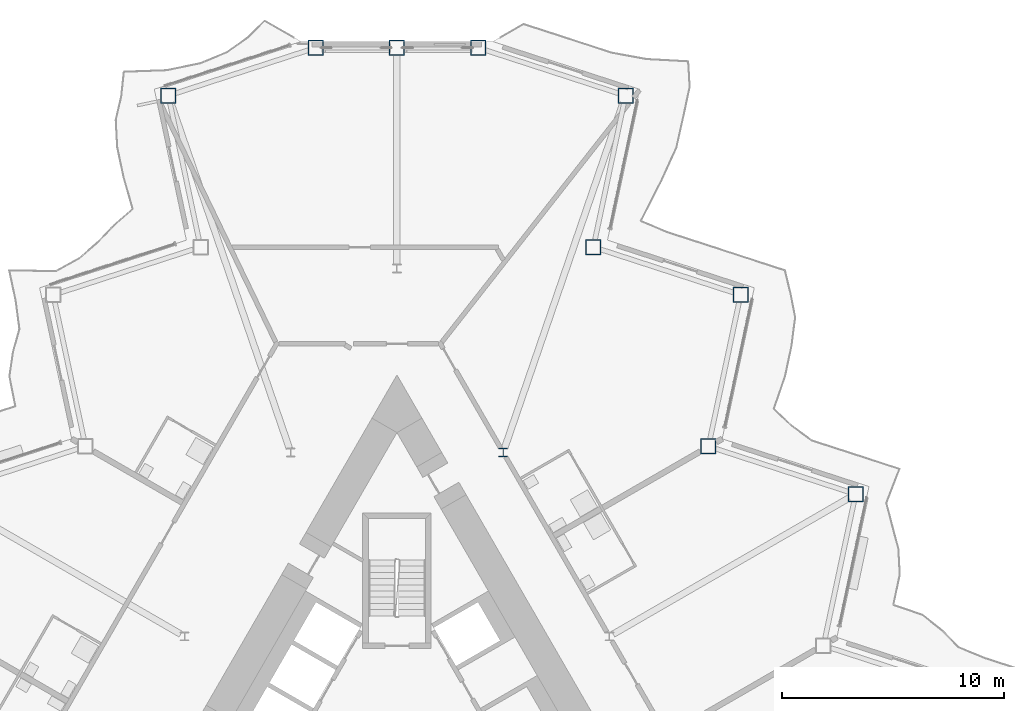
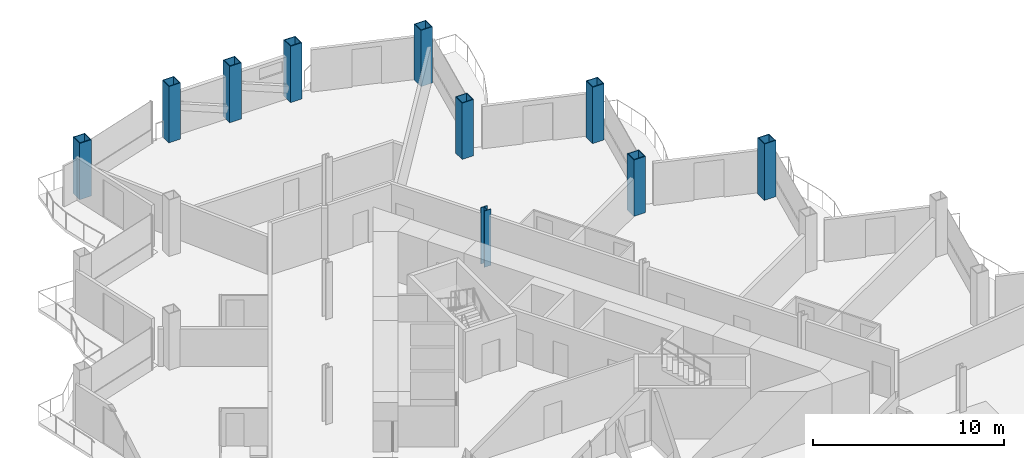
# One storey, part 3 of 24: 10 columns.
"""IFC4 building model written with IfcOpenShell, lengths in metres."""

from ifc_helpers import new_model, si_unit, direction, frame, origin, origin_2d, place, context, subcontext, project, spatial, hollow_rectangle, i_section, extrude, material, material_profile, profile_set, type_object, element, save


model = new_model("IFC4")

# Units and contexts
model_context = context("Model", 3, precision=1e-05, world=origin(), true_north=direction((0.0, 1.0)))
body_context = subcontext(model_context, "Body", "Model", "MODEL_VIEW")
ifc_project = project(units=[si_unit("LENGTHUNIT", "METRE"), si_unit("AREAUNIT", "SQUARE_METRE"), si_unit("VOLUMEUNIT", "CUBIC_METRE"), si_unit("PLANEANGLEUNIT", "RADIAN"), si_unit("MASSUNIT", "GRAM", prefix="KILO")], contexts=[model_context])

# Site, building, storey
site_placement = place(None, origin())
site = spatial("IfcSite", under=ifc_project, at=site_placement, CompositionType="ELEMENT")
building_placement = place(site_placement, origin())
building = spatial("IfcBuilding", under=site, at=building_placement, Name="Cormorant Prow Tower", CompositionType="ELEMENT")
storey_placement = place(building_placement, frame((0.0, 0.0, 234.60009765625)))
storey = spatial("IfcBuildingStorey", under=building, at=storey_placement, Name="L51", CompositionType="ELEMENT", Elevation=234.60009765625)

# Columns
ifc_material_1 = material(Name="Structural steel ASTM A572 Gr 50", Category="steel")
ifc_material_profile_1 = material_profile(ifc_material_1, hollow_rectangle(XDim=0.699951171875, YDim=0.699951171875, WallThickness=0.044921875, at=origin_2d()), Name="Box 700x700x45")
ifc_profile_set_1 = profile_set([ifc_material_profile_1], Name="Structural steel ASTM A572 Gr 50")
column_type_1 = type_object("IfcColumnType", Name="Perimeter box column 700x700x45", PredefinedType="COLUMN", material=ifc_profile_set_1)
for number, where, z_axis, x_axis, name in (
    (1, (20.686767578125, 11.943359375, 0.0), (0.0, 0.0, 1.0), (1.0, 0.0, 0.0), "Perimeter column C5 at ENE05 L51"),
    (2, (14.046875, 14.100830078125, 0.0), (0.0, 0.0, 1.0), (1.0, 0.0, 0.0), "Perimeter column C5 at ENE06 L51"),
    (3, (15.49853515625, 20.9296875, 0.0), (0.0, 0.0, 1.0), (1.0, 0.0, 0.0), "Perimeter column C5 at ENE07 L51"),
    (4, (8.858642578125, 23.087158203125, 0.0), (0.0, 0.0, 1.0), (1.0, 0.0, 0.0), "Perimeter column C5 at ENE08 L51"),
    (5, (10.310302734375, 29.916015625, 0.0), (0.0, 0.0, 1.0), (1.0, 0.0, 0.0), "Perimeter column C5 at ENE09 L51"),
    (6, (3.67041015625, 32.073486328125, 0.0), (0.0, 0.0, 1.0), (1.0, 0.0, 0.0), "Perimeter column C5 at N00 L51"),
    (7, (0.0, 32.073486328125, 0.0), (0.0, 0.0, 1.0), (1.0, 0.0, 0.0), "Perimeter column C5 at N01 L51"),
    (8, (-3.67041015625, 32.073486328125, 0.0), (0.0, 0.0, 1.0), (1.0, 0.0, 0.0), "Perimeter column C5 at WNW00 L51"),
    (9, (-10.310302734375, 29.916015625, 0.0), (0.0, 0.0, 1.0), (1.0, 0.0, 0.0), "Perimeter column C5 at WNW01 L51"),
):
    element("IfcColumn", number, at=place(storey_placement, frame(where, z_axis=z_axis, x_axis=x_axis)), inside=storey, type_object=column_type_1, Name=name, PredefinedType="COLUMN", context=body_context, shape_type="SweptSolid", body=[
        extrude(hollow_rectangle(XDim=0.699951171875, YDim=0.699951171875, WallThickness=0.044921875, at=origin_2d()), origin(), (0.0, 0.0, 1.0), 3.599853515625),
    ])
ifc_material_2 = material(Name="Structural steel ASTM A992 Gr 50", Category="steel")
ifc_material_profile_2 = material_profile(ifc_material_2, i_section(OverallWidth=0.39892578125, OverallDepth=0.393310546875, WebThickness=0.022705078125, FlangeThickness=0.03662109375, at=origin_2d()), Name="W14x193")
ifc_profile_set_2 = profile_set([ifc_material_profile_2], Name="Structural steel ASTM A992 Gr 50")
column_type_2 = type_object("IfcColumnType", Name="Ring column W14x193", PredefinedType="COLUMN", material=ifc_profile_set_2)
column_placement = place(storey_placement, frame((4.789306640625, 13.8251953125, 0.0), z_axis=(0.0, 0.0, 1.0), x_axis=(1.0, 0.0, 0.0)))
element("IfcColumn", 10, at=column_placement, inside=storey, type_object=column_type_2, Name="Ring column 12 L51", PredefinedType="COLUMN", context=body_context, shape_type="SweptSolid", body=[
    extrude(i_section(OverallWidth=0.39892578125, OverallDepth=0.393310546875, WebThickness=0.022705078125, FlangeThickness=0.03662109375, at=origin_2d()), origin(), (0.0, 0.0, 1.0), 3.599853515625),
])

save(model, "model.ifc")
